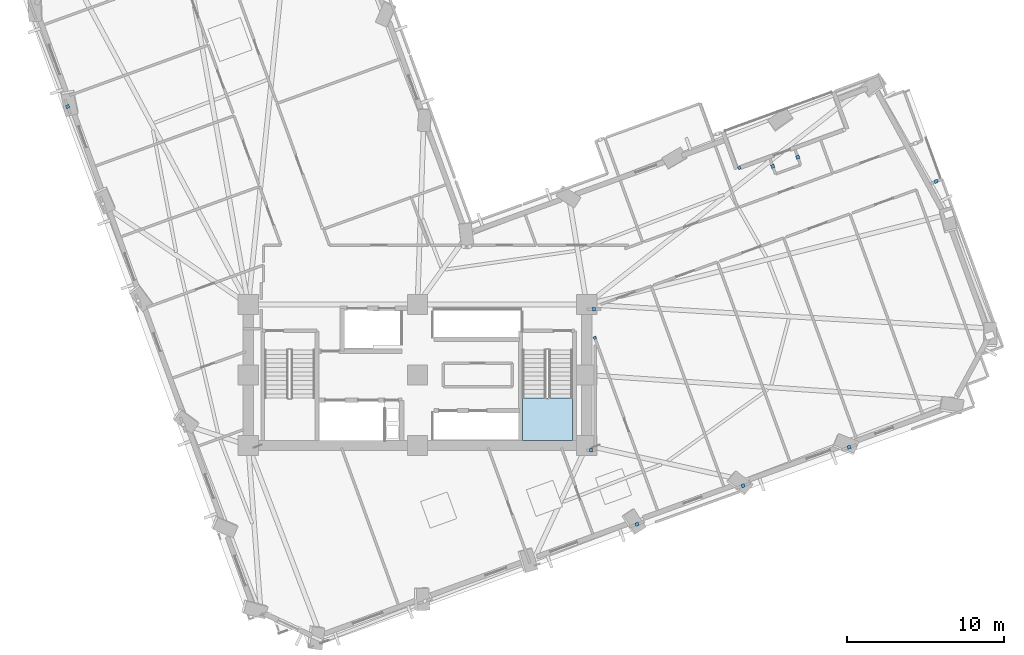
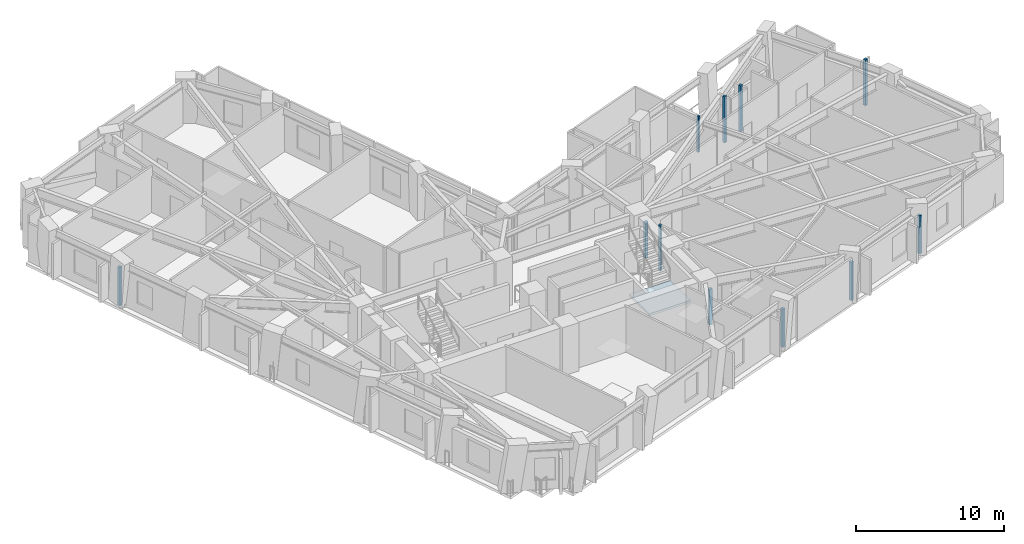
# One storey, part 5 of 17: 11 plates, 1 slab, 1 element without a shape of its own.
"""IFC4 building model written with IfcOpenShell, lengths in metres."""

import ifcopenshell
import ifcopenshell.guid

model = None  # the IFC model being written
_history = None  # IfcOwnerHistory: only IFC2X3 demands one
_inside = {}  # id of a spatial element -> (the spatial element, [elements in it])
_under = {}  # id of a project, library or spatial element -> (it, [spatial elements below it])
_declared = {}  # id of a project -> (the project, [libraries it declares])
_typed = {}  # id of a type object -> (the type object, [elements of that type])
_made_of = {}  # id of a material, layer set ... -> (it, [elements and type objects made of it])


def new_model(schema):
    """Start an empty IFC model of exactly this schema.

    Asked for "IFC4X3", IfcOpenShell would pick the latest addendum, in which some entities
    have other attributes; the version numbers below select the first issue.
    IFC2X3 requires an IfcOwnerHistory on every rooted entity: one is made here for all.
    """
    global model, _history
    if schema == "IFC4X3":
        model = ifcopenshell.file(schema_version=(4, 3, 0, 0))
    else:
        model = ifcopenshell.file(schema=schema)
    _inside.clear()
    _under.clear()
    _declared.clear()
    _typed.clear()
    _made_of.clear()
    _history = None
    if model.schema == "IFC2X3":
        org = make("IfcOrganization", Name="unknown")
        user = make(
            "IfcPersonAndOrganization",
            ThePerson=make("IfcPerson", FamilyName="unknown"),
            TheOrganization=org,
        )
        app = make(
            "IfcApplication",
            ApplicationDeveloper=org,
            Version="unknown",
            ApplicationFullName="unknown",
            ApplicationIdentifier="unknown",
        )
        _history = make(
            "IfcOwnerHistory",
            OwningUser=user,
            OwningApplication=app,
            ChangeAction="ADDED",
            CreationDate=0,
        )
    return model


def make(cls, **values):
    """One entity of the class cls with the attributes given. An attribute that is None is left unset."""
    return model.create_entity(
        cls, **{name: value for name, value in values.items() if value is not None}
    )


def rooted(cls, **values):
    """An entity with a GlobalId (a new one), such as an element, a storey or a relation."""
    return make(cls, GlobalId=ifcopenshell.guid.new(), OwnerHistory=_history, **values)


def si_unit(unit_type, name, prefix=None):
    """IfcSIUnit, for example si_unit("LENGTHUNIT", "METRE", prefix="MILLI")."""
    return make("IfcSIUnit", UnitType=unit_type, Prefix=prefix, Name=name)


def assignment(units):
    """IfcUnitAssignment: the units of a project."""
    return None if units is None else make("IfcUnitAssignment", Units=units)


def point(xyz):
    """IfcCartesianPoint."""
    return None if xyz is None else make("IfcCartesianPoint", Coordinates=xyz)


def direction(xyz):
    """IfcDirection."""
    return None if xyz is None else make("IfcDirection", DirectionRatios=xyz)


def frame(location, z_axis=None, x_axis=None):
    """IfcAxis2Placement3D, a coordinate frame: its origin and axes. An axis left out is left unset."""
    return make(
        "IfcAxis2Placement3D",
        Location=point(location),
        Axis=direction(z_axis),
        RefDirection=direction(x_axis),
    )


def frame_2d(location, x_axis=None):
    """IfcAxis2Placement2D, a coordinate frame in the plane: its origin and x axis."""
    return make(
        "IfcAxis2Placement2D", Location=point(location), RefDirection=direction(x_axis)
    )


def origin():
    """The frame at (0, 0, 0) with its axes left unset."""
    return frame((0.0, 0.0, 0.0))


def origin_2d():
    """The frame at (0, 0) in the plane with its x axis left unset."""
    return frame_2d((0.0, 0.0))


def place(relative_to, where):
    """IfcLocalPlacement: puts the frame where relative to a parent placement (None: the world)."""
    return make(
        "IfcLocalPlacement", PlacementRelTo=relative_to, RelativePlacement=where
    )


def context(
    kind, dimensions, precision=None, world=None, true_north=None, identifier=None
):
    """IfcGeometricRepresentationContext, for example the 3D "Model" context."""
    return make(
        "IfcGeometricRepresentationContext",
        ContextIdentifier=identifier,
        ContextType=kind,
        CoordinateSpaceDimension=dimensions,
        Precision=precision,
        WorldCoordinateSystem=world,
        TrueNorth=true_north,
    )


def subcontext(parent, identifier, kind, view, scale=None):
    """IfcGeometricRepresentationSubContext, for example "Body" below "Model"."""
    return make(
        "IfcGeometricRepresentationSubContext",
        ContextIdentifier=identifier,
        ContextType=kind,
        ParentContext=parent,
        TargetScale=scale,
        TargetView=view,
    )


def project(units=None, contexts=None):
    """IfcProject with its units and contexts."""
    return rooted(
        "IfcProject",
        Name="project",
        RepresentationContexts=contexts,
        UnitsInContext=assignment(units),
    )


def spatial(cls, under=None, at=None, **own):
    """A site, building, storey or space (cls), placed at a placement, below another one or the project."""
    s = rooted(cls, ObjectPlacement=at, **own)
    if under is not None:
        _under.setdefault(under.id(), (under, []))[1].append(s)
    return s


def polyline(points):
    """IfcPolyline through the points."""
    return make("IfcPolyline", Points=[point(p) for p in points])


def profile(cls, at=None, kind="AREA", **sizes):
    """A parametric profile (cls). Its sizes go by their IFC names, for example OverallWidth=200.0."""
    return make(cls, ProfileType=kind, Position=at, **sizes)


def rectangle(**sizes):
    """IfcRectangleProfileDef."""
    return profile("IfcRectangleProfileDef", **sizes)


def outline(outer, holes=None, kind="AREA"):
    """IfcArbitraryClosedProfileDef: a profile drawn as a closed curve; with holes, ...WithVoids."""
    if holes is None:
        return make("IfcArbitraryClosedProfileDef", ProfileType=kind, OuterCurve=outer)
    return make(
        "IfcArbitraryProfileDefWithVoids",
        ProfileType=kind,
        OuterCurve=outer,
        InnerCurves=holes,
    )


def extrude(swept, where, along, depth):
    """IfcExtrudedAreaSolid: the profile swept, set in the frame where, extruded along a direction by depth."""
    return make(
        "IfcExtrudedAreaSolid",
        SweptArea=swept,
        Position=where,
        ExtrudedDirection=direction(along),
        Depth=depth,
    )


def shape(context_of_items, identifier, shape_type, items):
    """IfcShapeRepresentation: the items that make up one representation, for example the "Body"."""
    return make(
        "IfcShapeRepresentation",
        ContextOfItems=context_of_items,
        RepresentationIdentifier=identifier,
        RepresentationType=shape_type,
        Items=items,
    )


def material(Name=None, Category=None):
    """IfcMaterial."""
    return make("IfcMaterial", Name=Name, Category=Category)


def layer(
    of_material, thickness, ventilated=None, Name=None, Category=None, Priority=None
):
    """IfcMaterialLayer: one layer of a wall or slab, of a material (None: an air gap)."""
    return make(
        "IfcMaterialLayer",
        Material=of_material,
        LayerThickness=thickness,
        IsVentilated=ventilated,
        Name=Name,
        Category=Category,
        Priority=Priority,
    )


def layer_set(layers, Name=None):
    """IfcMaterialLayerSet."""
    return make("IfcMaterialLayerSet", MaterialLayers=layers, LayerSetName=Name)


def made_of(thing, what):
    """Note that an element or type object is made of a material, layer set ...; save() writes the relation."""
    if what is not None:
        _made_of.setdefault(what.id(), (what, []))[1].append(thing)
    return thing


def type_object(cls, material=None, **own):
    """A type object (cls), such as IfcWallType, which elements share."""
    return made_of(rooted(cls, **own), material)


def element(
    cls,
    number,
    at=None,
    inside=None,
    cuts=None,
    type_object=None,
    material=None,
    context=None,
    identifier="Body",
    shape_type=None,
    held_by="IfcProductDefinitionShape",
    body=None,
    shapes=None,
    **own,
):
    """One element of the class cls, such as IfcWall. Its Tag is "e" and its number.

    at: its placement. inside: the storey or other place that contains it. cuts: it is an
    opening in that element (IfcRelVoidsElement). A single representation is given by context,
    identifier, shape_type and body (its items); several are given by shapes. held_by: the class
    of the entity that holds the representations. save() writes the other relations.
    """
    e = rooted(cls, Tag="e%d" % number, ObjectPlacement=at, **own)
    if body is not None:
        shapes = [shape(context, identifier, shape_type, body)]
    if shapes is not None:
        e.Representation = make(held_by, Representations=shapes)
    if inside is not None:
        _inside.setdefault(inside.id(), (inside, []))[1].append(e)
    if cuts is not None:
        rooted(
            "IfcRelVoidsElement", RelatingBuildingElement=cuts, RelatedOpeningElement=e
        )
    if type_object is not None:
        _typed.setdefault(type_object.id(), (type_object, []))[1].append(e)
    return made_of(e, material)


def aggregate(whole, parts):
    """IfcRelAggregates: a whole, such as a stair, and the parts it consists of."""
    return rooted("IfcRelAggregates", RelatingObject=whole, RelatedObjects=parts)


def save(model, path):
    """Write the relations noted so far, then the file.

    IfcRelAggregates (storeys below a building ...), IfcRelContainedInSpatialStructure (elements
    in a storey), IfcRelDefinesByType, IfcRelAssociatesMaterial and IfcRelDeclares: one each for
    every whole, place, type object, material and project.
    """
    for whole, parts in _under.values():
        aggregate(whole, parts)
    for where, things in _inside.values():
        rooted(
            "IfcRelContainedInSpatialStructure",
            RelatedElements=things,
            RelatingStructure=where,
        )
    for kind, things in _typed.values():
        rooted("IfcRelDefinesByType", RelatedObjects=things, RelatingType=kind)
    for what, things in _made_of.values():
        rooted("IfcRelAssociatesMaterial", RelatedObjects=things, RelatingMaterial=what)
    for by, libraries in _declared.values():
        rooted("IfcRelDeclares", RelatingContext=by, RelatedDefinitions=libraries)
    model.write(path)


model = new_model("IFC4")

# Units and contexts
model_context = context("Model", 3, precision=1e-05, world=origin(), true_north=direction((0.0, 1.0)))
body_context = subcontext(model_context, "Body", "Model", "MODEL_VIEW")
ifc_project = project(units=[si_unit("LENGTHUNIT", "METRE"), si_unit("AREAUNIT", "SQUARE_METRE"), si_unit("VOLUMEUNIT", "CUBIC_METRE"), si_unit("PLANEANGLEUNIT", "RADIAN"), si_unit("MASSUNIT", "GRAM", prefix="KILO")], contexts=[model_context])

# Site, building, storey
site_placement = place(None, origin())
site = spatial("IfcSite", under=ifc_project, at=site_placement, CompositionType="ELEMENT")
building_placement = place(site_placement, origin())
building = spatial("IfcBuilding", under=site, at=building_placement, Name="Gaonmaruhae Medical Tower", CompositionType="ELEMENT")
storey_placement = place(building_placement, frame((0.0, 0.0, 108.39990234375)))
storey = spatial("IfcBuildingStorey", under=building, at=storey_placement, Name="L25", CompositionType="ELEMENT", Elevation=108.39990234375)

# Plates
ifc_material_1 = material(Name="Anodised aluminium 6063-T6", Category="aluminium")
ifc_layer_1 = layer(ifc_material_1, 0.011962890625)
ifc_layer_set_1 = layer_set([ifc_layer_1], Name="Anodised aluminium 6063-T6")
plate_type = type_object("IfcPlateType", Name="PP-01 Interior Partition Corner Stiffener Plate", PredefinedType="SHEET", material=ifc_layer_set_1)
plate_1_placement = place(storey_placement, frame((45.341796875, 25.5087890625, 0.0), z_axis=(0.0, 0.0, 1.0), x_axis=(0.93999073182, 0.341199976689, 0.0)))
element("IfcPlate", 1, at=plate_1_placement, inside=storey, type_object=plate_type, Name="L25 Partition End Jamb Post Plate PLT-L25-ENDP-TERB-0", PredefinedType="SHEET", context=body_context, shape_type="SweptSolid", body=[
    extrude(rectangle(XDim=0.179931640625, YDim=0.179931640625, at=origin_2d()), origin(), (0.0, 0.0, 1.0), 2.945068359375),
])
plate_2_placement = place(storey_placement, frame((36.122802734375, 14.670166015625, 0.0), z_axis=(0.0, 0.0, 1.0), x_axis=(0.34121638257, -0.939984776614, 0.0)))
element("IfcPlate", 2, at=plate_2_placement, inside=storey, type_object=plate_type, Name="L25 Partition End Jamb Post Plate PLT-L25-ENDP-PW011-0", PredefinedType="SHEET", context=body_context, shape_type="SweptSolid", body=[
    extrude(rectangle(XDim=0.179931640625, YDim=0.179931640625, at=origin_2d()), origin(), (0.0, 0.0, 1.0), 3.780029296875),
])
plate_3_placement = place(storey_placement, frame((38.81201171875, 2.777099609375, 0.0), z_axis=(0.0, 0.0, 1.0), x_axis=(-0.940085976176, -0.340937468457, 0.0)))
element("IfcPlate", 3, at=plate_3_placement, inside=storey, type_object=plate_type, Name="L25 Partition Corner Stiffener Plate PLT-L25-JGP-PW012", PredefinedType="SHEET", context=body_context, shape_type="SweptSolid", body=[
    extrude(rectangle(XDim=0.219970703125, YDim=0.219970703125, at=origin_2d()), origin(), (0.0, 0.0, 1.0), 3.1650390625),
])
for number, where, z_axis, x_axis, name in (
    (4, (35.875, 7.5, 0.0), (0.0, 0.0, 1.0), (1.0, 0.0, 0.0), "L25 Partition Corner Stiffener Plate PLT-L25-JGP-PW013"),
    (5, (36.0654296875, 16.4970703125, 0.0), (0.0, 0.0, 1.0), (0.999976115652, 0.006911448812, 0.0), "L25 Partition Corner Stiffener Plate PLT-L25-JGP-PW015"),
):
    element("IfcPlate", number, at=place(storey_placement, frame(where, z_axis=z_axis, x_axis=x_axis)), inside=storey, type_object=plate_type, Name=name, PredefinedType="SHEET", context=body_context, shape_type="SweptSolid", body=[
        extrude(rectangle(XDim=0.219970703125, YDim=0.219970703125, at=origin_2d()), origin(), (0.0, 0.0, 1.0), 2.965087890625),
    ])
for number, where, z_axis, x_axis, name in (
    (6, (45.5791015625, 5.23291015625, 0.0), (0.0, 0.0, 1.0), (-0.939853689638, -0.341577285651, 0.0), "L25 Partition Corner Stiffener Plate PLT-L25-JGP-PW021"),
    (7, (52.346435546875, 7.68994140625, 0.0), (0.0, 0.0, 1.0), (-0.940032410246, -0.34108513261, 0.0), "L25 Partition Corner Stiffener Plate PLT-L25-JGP-PW024"),
    (8, (2.472412109375, 29.428466796875, 0.0), (0.0, 0.0, 1.0), (-0.342331738388, 0.939579150946, 0.0), "L25 Partition Corner Stiffener Plate PLT-L25-JGP-PW051"),
):
    element("IfcPlate", number, at=place(storey_placement, frame(where, z_axis=z_axis, x_axis=x_axis)), inside=storey, type_object=plate_type, Name=name, PredefinedType="SHEET", context=body_context, shape_type="SweptSolid", body=[
        extrude(rectangle(XDim=0.219970703125, YDim=0.219970703125, at=origin_2d()), origin(), (0.0, 0.0, 1.0), 3.1650390625),
    ])
for number, where, z_axis, x_axis, name in (
    (9, (47.47412109375, 25.62060546875, 0.0), (0.0, 0.0, 1.0), (0.341446053991, -0.939901373663, 0.0), "L25 Partition Corner Stiffener Plate PLT-L25-JGP-PW083"),
    (10, (49.072021484375, 26.200439453125, 0.0), (0.0, 0.0, 1.0), (-0.341446053991, 0.939901373663, 0.0), "L25 Partition Corner Stiffener Plate PLT-L25-JGP-PW085"),
    (11, (57.8994140625, 24.652587890625, 0.0), (0.0, 0.0, 1.0), (0.94004431579, 0.341052319081, 0.0), "L25 Partition Corner Stiffener Plate PLT-L25-JGP-PW113"),
):
    element("IfcPlate", number, at=place(storey_placement, frame(where, z_axis=z_axis, x_axis=x_axis)), inside=storey, type_object=plate_type, Name=name, PredefinedType="SHEET", context=body_context, shape_type="SweptSolid", body=[
        extrude(rectangle(XDim=0.219970703125, YDim=0.219970703125, at=origin_2d()), origin(), (0.0, 0.0, 1.0), 3.780029296875),
    ])

# Stair, slab
ifc_material_2 = material(Name="Concrete C40/50", Category="concrete")
stair_type = type_object("IfcStairType", Name="ST-T1 Primary Core Escape Dogleg Stair", PredefinedType="TWO_QUARTER_TURN_STAIR", material=ifc_material_2)
stair_placement = place(storey_placement, origin())
stair = element("IfcStair", 12, at=stair_placement, inside=storey, type_object=stair_type, Name="L25 Protected Escape Stair ST-02", PredefinedType="TWO_QUARTER_TURN_STAIR")
ifc_layer_2 = layer(ifc_material_2, 0.199951171875)
ifc_layer_set_2 = layer_set([ifc_layer_2], Name="Concrete C40/50")
slab_type = type_object("IfcSlabType", Name="SL-200 Stair & Ramp Intermediate Concrete Landing", PredefinedType="LANDING", material=ifc_layer_set_2)
slab_placement = place(storey_placement, frame((0.0, 0.0, 1.800048828125)))
slab = element("IfcSlab", 13, at=slab_placement, type_object=slab_type, Name="ST-02 landing 1", PredefinedType="LANDING", context=body_context, shape_type="SweptSolid", body=[
    extrude(outline(polyline([(31.5, 10.820068359375), (31.5, 8.12890625), (34.699951171875, 8.12890625), (34.699951171875, 10.820068359375), (31.5, 10.820068359375)])), origin(), (0.0, 0.0, 1.0), 0.199951171875),
])
aggregate(stair, [slab])

save(model, "model.ifc")
